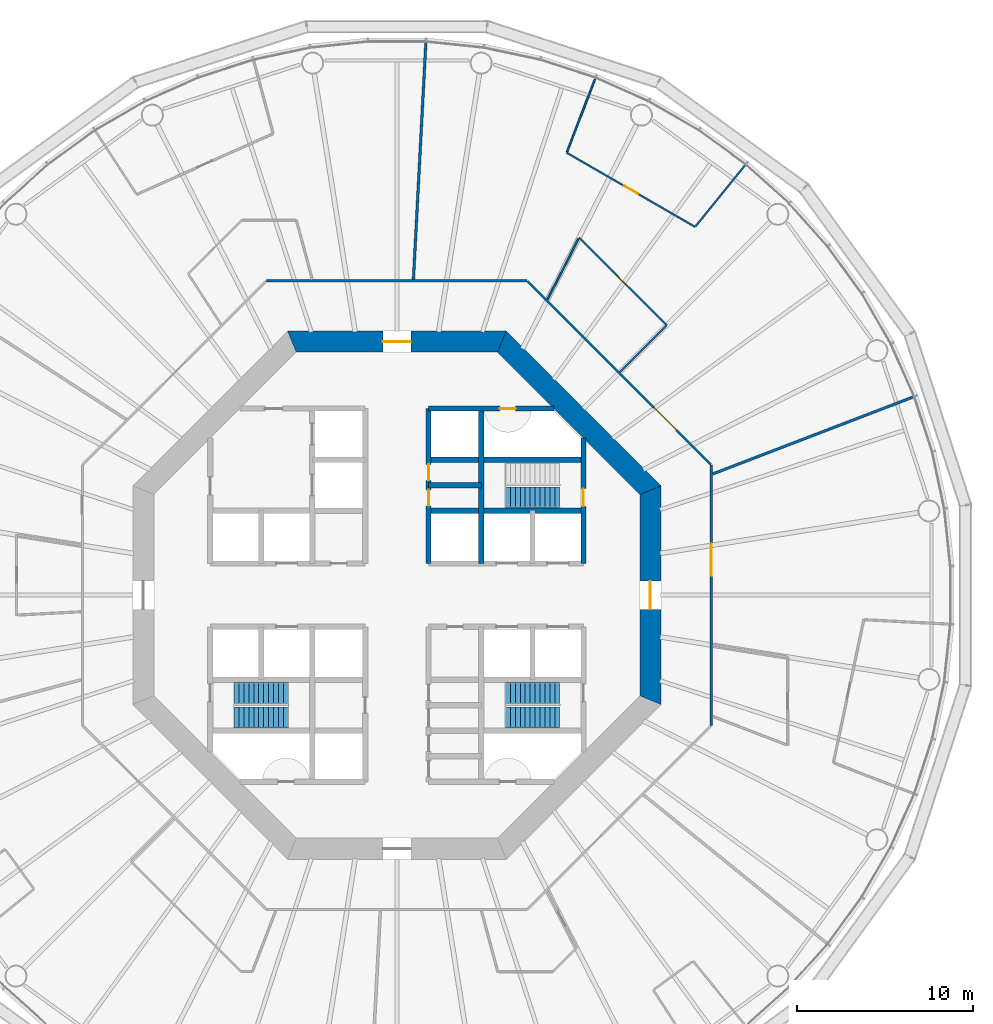
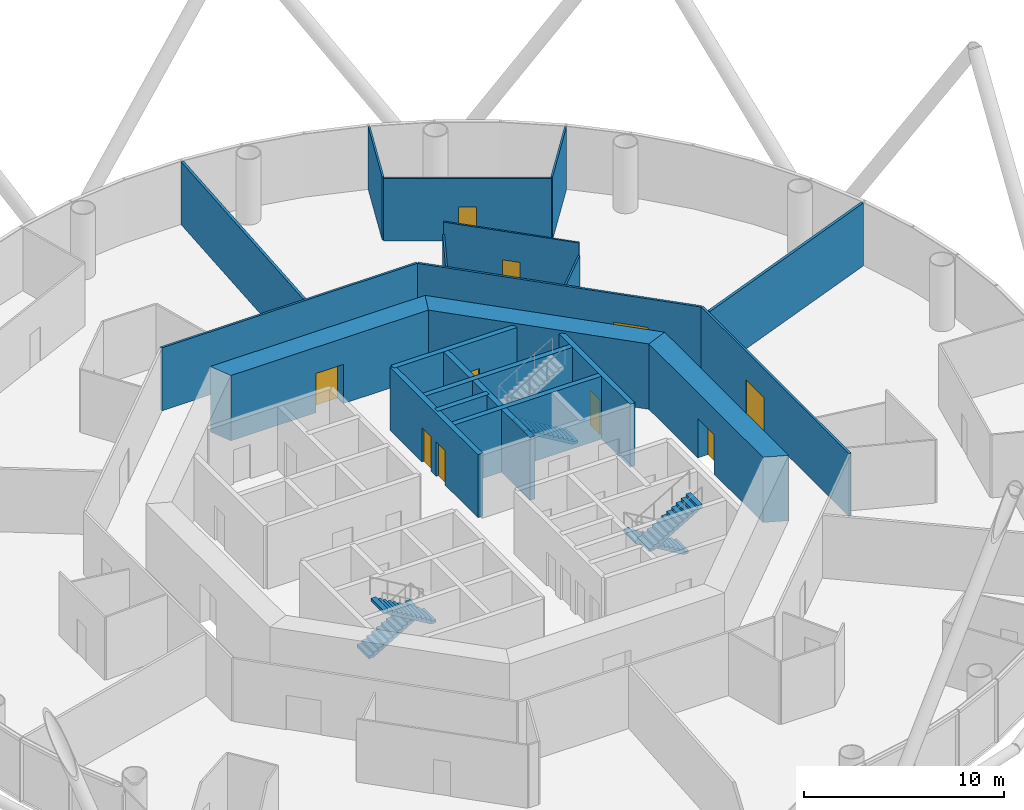
# One storey, part 6 of 14: 21 walls, 10 doors, 5 stair flights, 10 openings, 3 elements without a shape of their own.
"""IFC4 building model written with IfcOpenShell, lengths in metres."""

from ifc_helpers import new_model, si_unit, direction, frame, frame_2d, origin, place, context, subcontext, project, spatial, polyline, rectangle, outline, extrude, material, layer, layer_set, type_object, element, fill, aggregate, save


model = new_model("IFC4")

# Units and contexts
model_context = context("Model", 3, precision=1e-05, world=origin(), true_north=direction((0.0, 1.0)))
body_context = subcontext(model_context, "Body", "Model", "MODEL_VIEW")
ifc_project = project(units=[si_unit("LENGTHUNIT", "METRE"), si_unit("AREAUNIT", "SQUARE_METRE"), si_unit("VOLUMEUNIT", "CUBIC_METRE"), si_unit("PLANEANGLEUNIT", "RADIAN"), si_unit("MASSUNIT", "GRAM", prefix="KILO")], contexts=[model_context])

# Site, building, storey
site_placement = place(None, origin())
site = spatial("IfcSite", under=ifc_project, at=site_placement, CompositionType="ELEMENT")
building_placement = place(site_placement, origin())
building = spatial("IfcBuilding", under=site, at=building_placement, Name="Entoto Ring Tower", CompositionType="ELEMENT")
storey_placement = place(building_placement, frame((0.0, 0.0, 80.0)))
storey = spatial("IfcBuildingStorey", under=building, at=storey_placement, Name="L17", CompositionType="ELEMENT", Elevation=80.0)

# Wall, opening, door
ifc_material_1 = material(Name="Concrete C40/50", Category="concrete")
ifc_layer_1 = layer(ifc_material_1, 0.300048828125)
ifc_layer_set_1 = layer_set([ifc_layer_1], Name="Concrete C40/50")
wall_type_1 = type_object("IfcWallType", Name="Core enclosure wall 300 mm reinforced concrete", PredefinedType="SOLIDWALL", material=ifc_layer_set_1)
wall_1_placement = place(storey_placement, frame((100.60009765625, 81.800048828125, 0.0), z_axis=(0.0, 0.0, 1.0), x_axis=(0.0, 1.0, 0.0)))
wall_1 = element("IfcWall", 1, at=wall_1_placement, inside=storey, type_object=wall_type_1, Name="wall-L17-002", PredefinedType="SOLIDWALL", context=body_context, shape_type="SweptSolid", body=[
    extrude(rectangle(XDim=7.115966796875, YDim=0.300048828125, at=frame_2d((3.55810546875, 0.0))), origin(), (0.0, 0.0, 1.0), 3.85009765625),
])
opening_1_placement = place(wall_1_placement, frame((3.25, 0.0, 0.0)))
opening_1 = element("IfcOpeningElement", 2, at=opening_1_placement, cuts=wall_1, Name="Opening K-65", PredefinedType="OPENING", context=body_context, shape_type="SweptSolid", body=[
    extrude(rectangle(XDim=1.0, YDim=2.10009765625, at=frame_2d((0.5, 1.050048828125))), frame((0.0, 0.16015625, 0.0), z_axis=(0.0, -1.0, 0.0), x_axis=(1.0, 0.0, 0.0)), (0.0, 0.0, 1.0), 0.320068359375),
])
ifc_material_2 = material(Name="Steel door leaf, fire rated", Category="steel")
ifc_layer_2 = layer(ifc_material_2, 0.050048828125)
ifc_layer_set_2 = layer_set([ifc_layer_2], Name="Steel door leaf, fire rated")
door_type_1 = type_object("IfcDoorType", Name="Fire door FD60 1000 x 2100 single leaf", OperationType="NOTDEFINED", PredefinedType="DOOR", material=ifc_layer_set_2)
door_1_placement = place(opening_1_placement, origin())
door_1 = element("IfcDoor", 3, at=door_1_placement, inside=storey, type_object=door_type_1, Name="Door K-65", OperationType="SINGLE_SWING_RIGHT", OverallHeight=2.10009765625, OverallWidth=1.0, PredefinedType="DOOR", context=body_context, shape_type="SweptSolid", body=[
    extrude(rectangle(XDim=1.0, YDim=2.10009765625, at=frame_2d((0.5, 1.050048828125))), frame((0.0, 0.02490234375, 0.0), z_axis=(0.0, -1.0, 0.0), x_axis=(1.0, 0.0, 0.0)), (0.0, 0.0, 1.0), 0.050048828125),
])
fill(opening_1, door_1)

# Wall
wall_2_placement = place(storey_placement, frame((94.800048828125, 81.800048828125, 0.0), z_axis=(0.0, 0.0, 1.0), x_axis=(0.0, 1.0, 0.0)))
element("IfcWall", 4, at=wall_2_placement, inside=storey, type_object=wall_type_1, Name="wall-L17-006", PredefinedType="SOLIDWALL", context=body_context, shape_type="SweptSolid", body=[
    extrude(rectangle(XDim=8.800048828125, YDim=0.300048828125, at=frame_2d((4.39990234375, 0.0))), origin(), (0.0, 0.0, 1.0), 3.85009765625),
])

# Wall, openings, doors
wall_3_placement = place(storey_placement, frame((91.800048828125, 81.800048828125, 0.0), z_axis=(0.0, 0.0, 1.0), x_axis=(0.0, 1.0, 0.0)))
wall_3 = element("IfcWall", 5, at=wall_3_placement, inside=storey, type_object=wall_type_1, Name="wall-L17-008", PredefinedType="SOLIDWALL", context=body_context, shape_type="SweptSolid", body=[
    extrude(rectangle(XDim=8.800048828125, YDim=0.300048828125, at=frame_2d((4.39990234375, 0.0))), origin(), (0.0, 0.0, 1.0), 3.85009765625),
])
opening_2_placement = place(wall_3_placement, frame((3.27490234375, 0.0, 0.0)))
opening_2 = element("IfcOpeningElement", 6, at=opening_2_placement, cuts=wall_3, Name="Opening K-11", PredefinedType="OPENING", context=body_context, shape_type="SweptSolid", body=[
    extrude(rectangle(XDim=0.89990234375, YDim=2.10009765625, at=frame_2d((0.449951171875, 1.050048828125))), frame((0.0, 0.16015625, 0.0), z_axis=(0.0, -1.0, 0.0), x_axis=(1.0, 0.0, 0.0)), (0.0, 0.0, 1.0), 0.320068359375),
])
opening_3_placement = place(wall_3_placement, frame((4.72509765625, 0.0, 0.0)))
opening_3 = element("IfcOpeningElement", 7, at=opening_3_placement, cuts=wall_3, Name="Opening K-12", PredefinedType="OPENING", context=body_context, shape_type="SweptSolid", body=[
    extrude(rectangle(XDim=0.89990234375, YDim=2.10009765625, at=frame_2d((0.449951171875, 1.050048828125))), frame((0.0, 0.16015625, 0.0), z_axis=(0.0, -1.0, 0.0), x_axis=(1.0, 0.0, 0.0)), (0.0, 0.0, 1.0), 0.320068359375),
])
ifc_material_3 = material(Name="Steel door leaf, fire rated", Category="steel")
ifc_layer_3 = layer(ifc_material_3, 0.050048828125)
ifc_layer_set_3 = layer_set([ifc_layer_3], Name="Steel door leaf, fire rated")
door_type_2 = type_object("IfcDoorType", Name="Core door 900 x 2100 single leaf", OperationType="NOTDEFINED", PredefinedType="DOOR", material=ifc_layer_set_3)
door_2_placement = place(opening_2_placement, origin())
door_2 = element("IfcDoor", 8, at=door_2_placement, inside=storey, type_object=door_type_2, Name="Door K-11", OperationType="SINGLE_SWING_RIGHT", OverallHeight=2.10009765625, OverallWidth=0.89990234375, PredefinedType="DOOR", context=body_context, shape_type="SweptSolid", body=[
    extrude(rectangle(XDim=0.89990234375, YDim=2.10009765625, at=frame_2d((0.449951171875, 1.050048828125))), frame((0.0, 0.02490234375, 0.0), z_axis=(0.0, -1.0, 0.0), x_axis=(1.0, 0.0, 0.0)), (0.0, 0.0, 1.0), 0.050048828125),
])
fill(opening_2, door_2)
door_3_placement = place(opening_3_placement, origin())
door_3 = element("IfcDoor", 9, at=door_3_placement, inside=storey, type_object=door_type_2, Name="Door K-12", OperationType="SINGLE_SWING_RIGHT", OverallHeight=2.10009765625, OverallWidth=0.89990234375, PredefinedType="DOOR", context=body_context, shape_type="SweptSolid", body=[
    extrude(rectangle(XDim=0.89990234375, YDim=2.10009765625, at=frame_2d((0.449951171875, 1.050048828125))), frame((0.0, 0.02490234375, 0.0), z_axis=(0.0, -1.0, 0.0), x_axis=(1.0, 0.0, 0.0)), (0.0, 0.0, 1.0), 0.050048828125),
])
fill(opening_3, door_3)

# Walls
wall_4_placement = place(storey_placement, frame((91.800048828125, 84.800048828125, 0.0), z_axis=(0.0, 0.0, 1.0), x_axis=(1.0, 0.0, 0.0)))
element("IfcWall", 10, at=wall_4_placement, inside=storey, type_object=wall_type_1, Name="wall-L17-030", PredefinedType="SOLIDWALL", context=body_context, shape_type="SweptSolid", body=[
    extrude(rectangle(XDim=8.800048828125, YDim=0.300048828125, at=frame_2d((4.39990234375, 0.0))), origin(), (0.0, 0.0, 1.0), 3.85009765625),
])
wall_5_placement = place(storey_placement, frame((91.800048828125, 86.25, 0.0), z_axis=(0.0, 0.0, 1.0), x_axis=(1.0, 0.0, 0.0)))
element("IfcWall", 11, at=wall_5_placement, inside=storey, type_object=wall_type_1, Name="wall-L17-031", PredefinedType="SOLIDWALL", context=body_context, shape_type="SweptSolid", body=[
    extrude(rectangle(XDim=3.0, YDim=0.300048828125, at=frame_2d((1.5, 0.0))), origin(), (0.0, 0.0, 1.0), 3.85009765625),
])
wall_6_placement = place(storey_placement, frame((91.800048828125, 87.699951171875, 0.0), z_axis=(0.0, 0.0, 1.0), x_axis=(1.0, 0.0, 0.0)))
element("IfcWall", 12, at=wall_6_placement, inside=storey, type_object=wall_type_1, Name="wall-L17-033", PredefinedType="SOLIDWALL", context=body_context, shape_type="SweptSolid", body=[
    extrude(rectangle(XDim=8.800048828125, YDim=0.300048828125, at=frame_2d((4.39990234375, 0.0))), origin(), (0.0, 0.0, 1.0), 3.85009765625),
])

# Wall, opening, door
wall_7_placement = place(storey_placement, frame((91.800048828125, 90.60009765625, 0.0), z_axis=(0.0, 0.0, 1.0), x_axis=(1.0, 0.0, 0.0)))
wall_7 = element("IfcWall", 13, at=wall_7_placement, inside=storey, type_object=wall_type_1, Name="wall-L17-035", PredefinedType="SOLIDWALL", context=body_context, shape_type="SweptSolid", body=[
    extrude(rectangle(XDim=7.115966796875, YDim=0.300048828125, at=frame_2d((3.55810546875, 0.0))), origin(), (0.0, 0.0, 1.0), 3.85009765625),
])
opening_4_placement = place(wall_7_placement, frame((4.050048828125, 0.0, 0.0)))
opening_4 = element("IfcOpeningElement", 14, at=opening_4_placement, cuts=wall_7, Name="Opening K-72", PredefinedType="OPENING", context=body_context, shape_type="SweptSolid", body=[
    extrude(rectangle(XDim=0.89990234375, YDim=2.10009765625, at=frame_2d((0.449951171875, 1.050048828125))), frame((0.0, 0.16015625, 0.0), z_axis=(0.0, -1.0, 0.0), x_axis=(1.0, 0.0, 0.0)), (0.0, 0.0, 1.0), 0.320068359375),
])
ifc_material_4 = material(Name="Steel door leaf, fire rated", Category="steel")
ifc_layer_4 = layer(ifc_material_4, 0.050048828125)
ifc_layer_set_4 = layer_set([ifc_layer_4], Name="Steel door leaf, fire rated")
door_type_3 = type_object("IfcDoorType", Name="Riser door FD60 900 x 2100 single leaf", OperationType="NOTDEFINED", PredefinedType="DOOR", material=ifc_layer_set_4)
door_4_placement = place(opening_4_placement, frame((0.89990234375, 0.0, 0.0), z_axis=(0.0, 0.0, 1.0), x_axis=(-1.0, 0.0, 0.0)))
door_4 = element("IfcDoor", 15, at=door_4_placement, inside=storey, type_object=door_type_3, Name="Door K-72", OperationType="SINGLE_SWING_LEFT", OverallHeight=2.10009765625, OverallWidth=0.89990234375, PredefinedType="DOOR", context=body_context, shape_type="SweptSolid", body=[
    extrude(rectangle(XDim=0.89990234375, YDim=2.10009765625, at=frame_2d((0.449951171875, 1.050048828125))), frame((0.0, 0.02490234375, 0.0), z_axis=(0.0, -1.0, 0.0), x_axis=(1.0, 0.0, 0.0)), (0.0, 0.0, 1.0), 0.050048828125),
])
fill(opening_4, door_4)

ifc_material_5 = material(Name="Concrete C60/75", Category="concrete")
ifc_layer_5 = layer(ifc_material_5, 1.199951171875)
ifc_layer_set_5 = layer_set([ifc_layer_5], Name="Concrete C60/75")
wall_type_2 = type_object("IfcWallType", Name="Core shear wall 1200 mm reinforced concrete C60/75", PredefinedType="SHEAR", material=ifc_layer_set_5)
wall_8_placement = place(storey_placement, frame((104.39990234375, 74.035400390625, 0.0), z_axis=(0.0, 0.0, 1.0), x_axis=(0.0, 1.0, 0.0)))
wall_8 = element("IfcWall", 16, at=wall_8_placement, inside=storey, type_object=wall_type_2, Name="wall-L17-core-0", PredefinedType="SHEAR", context=body_context, shape_type="SweptSolid", body=[
    extrude(outline(polyline([(-0.24853515625, -0.60009765625), (12.177734375, -0.60009765625), (11.6806640625, 0.60009765625), (0.24853515625, 0.60009765625), (-0.24853515625, -0.60009765625)])), origin(), (0.0, 0.0, 1.0), 4.0),
])
opening_5_placement = place(wall_8_placement, frame((5.164794921875, 0.0, 0.0)))
opening_5 = element("IfcOpeningElement", 17, at=opening_5_placement, cuts=wall_8, Name="Opening K-01", PredefinedType="OPENING", context=body_context, shape_type="SweptSolid", body=[
    extrude(rectangle(XDim=1.60009765625, YDim=2.39990234375, at=frame_2d((0.800048828125, 1.199951171875))), frame((0.0, 0.60986328125, 0.0), z_axis=(0.0, -1.0, 0.0), x_axis=(1.0, 0.0, 0.0)), (0.0, 0.0, 1.0), 1.219970703125),
])
ifc_material_6 = material(Name="Steel door leaf, fire rated", Category="steel")
ifc_layer_6 = layer(ifc_material_6, 0.050048828125)
ifc_layer_set_6 = layer_set([ifc_layer_6], Name="Steel door leaf, fire rated")
door_type_4 = type_object("IfcDoorType", Name="Entrance door FD60 1600 x 2400 double leaf", OperationType="DOUBLE_DOOR_SINGLE_SWING", PredefinedType="DOOR", material=ifc_layer_set_6)
door_5_placement = place(opening_5_placement, origin())
door_5 = element("IfcDoor", 18, at=door_5_placement, inside=storey, type_object=door_type_4, Name="Entrance door K-01", OperationType="DOUBLE_DOOR_SINGLE_SWING", OverallHeight=2.39990234375, OverallWidth=1.60009765625, PredefinedType="DOOR", context=body_context, shape_type="SweptSolid", body=[
    extrude(rectangle(XDim=1.60009765625, YDim=2.39990234375, at=frame_2d((0.800048828125, 1.199951171875))), frame((0.0, 0.02490234375, 0.0), z_axis=(0.0, -1.0, 0.0), x_axis=(1.0, 0.0, 0.0)), (0.0, 0.0, 1.0), 0.050048828125),
])
fill(opening_5, door_5)

# Wall
wall_9_placement = place(storey_placement, frame((104.39990234375, 85.964599609375, 0.0), z_axis=(0.0, 0.0, 1.0), x_axis=(-0.707106781187, 0.707106781187, 0.0)))
element("IfcWall", 19, at=wall_9_placement, inside=storey, type_object=wall_type_2, Name="wall-L17-core-1", PredefinedType="SHEAR", context=body_context, shape_type="SweptSolid", body=[
    extrude(outline(polyline([(-0.24853515625, -0.60009765625), (12.177734375, -0.60009765625), (11.6806640625, 0.60009765625), (0.24853515625, 0.60009765625), (-0.24853515625, -0.60009765625)])), origin(), (0.0, 0.0, 1.0), 4.0),
])

# Wall, opening, door
wall_10_placement = place(storey_placement, frame((95.964599609375, 94.39990234375, 0.0), z_axis=(0.0, 0.0, 1.0), x_axis=(-1.0, 0.0, 0.0)))
wall_10 = element("IfcWall", 20, at=wall_10_placement, inside=storey, type_object=wall_type_2, Name="wall-L17-core-2", PredefinedType="SHEAR", context=body_context, shape_type="SweptSolid", body=[
    extrude(outline(polyline([(-0.24853515625, -0.60009765625), (12.177734375, -0.60009765625), (11.6806640625, 0.60009765625), (0.24853515625, 0.60009765625), (-0.24853515625, -0.60009765625)])), origin(), (0.0, 0.0, 1.0), 4.0),
])
opening_6_placement = place(wall_10_placement, frame((5.164794921875, 0.0, 0.0)))
opening_6 = element("IfcOpeningElement", 21, at=opening_6_placement, cuts=wall_10, Name="Opening K-02", PredefinedType="OPENING", context=body_context, shape_type="SweptSolid", body=[
    extrude(rectangle(XDim=1.60009765625, YDim=2.39990234375, at=frame_2d((0.800048828125, 1.199951171875))), frame((0.0, 0.60986328125, 0.0), z_axis=(0.0, -1.0, 0.0), x_axis=(1.0, 0.0, 0.0)), (0.0, 0.0, 1.0), 1.219970703125),
])
door_6_placement = place(opening_6_placement, origin())
door_6 = element("IfcDoor", 22, at=door_6_placement, inside=storey, type_object=door_type_4, Name="Entrance door K-02", OperationType="DOUBLE_DOOR_SINGLE_SWING", OverallHeight=2.39990234375, OverallWidth=1.60009765625, PredefinedType="DOOR", context=body_context, shape_type="SweptSolid", body=[
    extrude(rectangle(XDim=1.60009765625, YDim=2.39990234375, at=frame_2d((0.800048828125, 1.199951171875))), frame((0.0, 0.02490234375, 0.0), z_axis=(0.0, -1.0, 0.0), x_axis=(1.0, 0.0, 0.0)), (0.0, 0.0, 1.0), 0.050048828125),
])
fill(opening_6, door_6)

# Wall
ifc_material_7 = material(Name="Fire-resisting plasterboard on steel studs", Category="steel")
ifc_layer_7 = layer(ifc_material_7, 0.125)
ifc_layer_set_7 = layer_set([ifc_layer_7], Name="Fire-resisting plasterboard on steel studs")
wall_type_3 = type_object("IfcWallType", Name="Corridor wall 125 mm one-hour plasterboard on steel studs", PredefinedType="PARTITIONING", material=ifc_layer_set_7)
wall_11_placement = place(storey_placement, frame((82.60107421875, 97.862548828125, 0.0), z_axis=(0.0, 0.0, 1.0), x_axis=(1.0, 0.0, 0.0)))
element("IfcWall", 23, at=wall_11_placement, inside=storey, type_object=wall_type_3, Name="partition-L17-003", PredefinedType="PARTITIONING", context=body_context, shape_type="SweptSolid", body=[
    extrude(rectangle(XDim=14.7978515625, YDim=0.125, at=frame_2d((7.39892578125, 0.0))), origin(), (0.0, 0.0, 1.0), 3.85009765625),
])

# Wall, opening, door
wall_12_placement = place(storey_placement, frame((107.862548828125, 72.60107421875, 0.0), z_axis=(0.0, 0.0, 1.0), x_axis=(0.0, 1.0, 0.0)))
wall_12 = element("IfcWall", 24, at=wall_12_placement, inside=storey, type_object=wall_type_3, Name="partition-L17-004", PredefinedType="PARTITIONING", context=body_context, shape_type="SweptSolid", body=[
    extrude(rectangle(XDim=14.7978515625, YDim=0.125, at=frame_2d((7.39892578125, 0.0))), origin(), (0.0, 0.0, 1.0), 3.85009765625),
])
opening_7_placement = place(wall_12_placement, frame((8.5126953125, 0.0, 0.0)))
opening_7 = element("IfcOpeningElement", 25, at=opening_7_placement, cuts=wall_12, Name="Opening A08-D01", PredefinedType="OPENING", context=body_context, shape_type="SweptSolid", body=[
    extrude(rectangle(XDim=1.800048828125, YDim=2.10009765625, at=frame_2d((0.89990234375, 1.050048828125))), frame((0.0, 0.072509765625, 0.0), z_axis=(0.0, -1.0, 0.0), x_axis=(1.0, 0.0, 0.0)), (0.0, 0.0, 1.0), 0.14501953125),
])
ifc_material_8 = material(Name="Fire-resisting timber door set", Category="wood")
door_type_5 = type_object("IfcDoorType", Name="Door 1800 x 2100 double leaf FD30S fire door", OperationType="DOUBLE_DOOR_SINGLE_SWING", PredefinedType="DOOR", material=ifc_material_8)
door_7_placement = place(opening_7_placement, frame((1.800048828125, 0.0, 0.0), z_axis=(0.0, 0.0, 1.0), x_axis=(-1.0, 0.0, 0.0)))
door_7 = element("IfcDoor", 26, at=door_7_placement, inside=storey, type_object=door_type_5, Name="Door A08-D01", OperationType="DOUBLE_DOOR_SINGLE_SWING", OverallHeight=2.10009765625, OverallWidth=1.800048828125, PredefinedType="DOOR", context=body_context, shape_type="SweptSolid", body=[
    extrude(rectangle(XDim=1.800048828125, YDim=2.10009765625, at=frame_2d((0.89990234375, 1.050048828125))), frame((0.0, 0.02490234375, 0.0), z_axis=(0.0, -1.0, 0.0), x_axis=(1.0, 0.0, 0.0)), (0.0, 0.0, 1.0), 0.050048828125),
])
fill(opening_7, door_7)

wall_13_placement = place(storey_placement, frame((107.831298828125, 87.429931640625, 0.0), z_axis=(0.0, 0.0, 1.0), x_axis=(-0.707106781187, 0.707106781187, 0.0)))
wall_13 = element("IfcWall", 27, at=wall_13_placement, inside=storey, type_object=wall_type_3, Name="partition-L17-008", PredefinedType="PARTITIONING", context=body_context, shape_type="SweptSolid", body=[
    extrude(rectangle(XDim=14.709716796875, YDim=0.125, at=frame_2d((7.35498046875, 0.0))), origin(), (0.0, 0.0, 1.0), 3.85009765625),
])
opening_8_placement = place(wall_13_placement, frame((2.755615234375, 0.0, 0.0)))
opening_8 = element("IfcOpeningElement", 28, at=opening_8_placement, cuts=wall_13, Name="Opening A08-D04", PredefinedType="OPENING", context=body_context, shape_type="SweptSolid", body=[
    extrude(rectangle(XDim=1.800048828125, YDim=2.10009765625, at=frame_2d((0.89990234375, 1.050048828125))), frame((0.0, 0.072509765625, 0.0), z_axis=(0.0, -1.0, 0.0), x_axis=(1.0, 0.0, 0.0)), (0.0, 0.0, 1.0), 0.14501953125),
])
door_8_placement = place(opening_8_placement, frame((1.800048828125, 0.0, 0.0), z_axis=(0.0, 0.0, 1.0), x_axis=(-1.0, 0.0, 0.0)))
door_8 = element("IfcDoor", 29, at=door_8_placement, inside=storey, type_object=door_type_5, Name="Door A08-D04", OperationType="DOUBLE_DOOR_SINGLE_SWING", OverallHeight=2.10009765625, OverallWidth=1.800048828125, PredefinedType="DOOR", context=body_context, shape_type="SweptSolid", body=[
    extrude(rectangle(XDim=1.800048828125, YDim=2.10009765625, at=frame_2d((0.89990234375, 1.050048828125))), frame((0.0, 0.02490234375, 0.0), z_axis=(0.0, -1.0, 0.0), x_axis=(1.0, 0.0, 0.0)), (0.0, 0.0, 1.0), 0.050048828125),
])
fill(opening_8, door_8)

ifc_material_9 = material(Name="Plasterboard on steel studs", Category="steel")
ifc_layer_8 = layer(ifc_material_9, 0.10009765625)
ifc_layer_set_8 = layer_set([ifc_layer_8], Name="Plasterboard on steel studs")
wall_type_4 = type_object("IfcWallType", Name="Partition 100 mm plasterboard on steel studs", PredefinedType="PARTITIONING", material=ifc_layer_set_8)
wall_14_placement = place(storey_placement, frame((106.94140625, 100.9208984375, 0.0), z_axis=(0.0, 0.0, 1.0), x_axis=(-0.866031604091, 0.499989260601, 0.0)))
wall_14 = element("IfcWall", 30, at=wall_14_placement, inside=storey, type_object=wall_type_4, Name="partition-L17-017", PredefinedType="PARTITIONING", context=body_context, shape_type="SweptSolid", body=[
    extrude(rectangle(XDim=8.422607421875, YDim=0.10009765625, at=frame_2d((4.21142578125, 0.0))), origin(), (0.0, 0.0, 1.0), 3.85009765625),
])
opening_9_placement = place(wall_14_placement, frame((3.76123046875, 0.0, 0.0)))
opening_9 = element("IfcOpeningElement", 31, at=opening_9_placement, cuts=wall_14, Name="Opening A08-D06", PredefinedType="OPENING", context=body_context, shape_type="SweptSolid", body=[
    extrude(rectangle(XDim=0.89990234375, YDim=2.10009765625, at=frame_2d((0.449951171875, 1.050048828125))), frame((0.0, 0.06005859375, 0.0), z_axis=(0.0, -1.0, 0.0), x_axis=(1.0, 0.0, 0.0)), (0.0, 0.0, 1.0), 0.1201171875),
])
ifc_material_10 = material(Name="Veneered timber door leaf in timber frame", Category="wood")
door_type_6 = type_object("IfcDoorType", Name="Door 900 x 2100 single leaf timber veneer", OperationType="NOTDEFINED", PredefinedType="DOOR", material=ifc_material_10)
door_9_placement = place(opening_9_placement, frame((0.89990234375, 0.0, 0.0), z_axis=(0.0, 0.0, 1.0), x_axis=(-1.0, 0.0, 0.0)))
door_9 = element("IfcDoor", 32, at=door_9_placement, inside=storey, type_object=door_type_6, Name="Door A08-D06", OperationType="SINGLE_SWING_RIGHT", OverallHeight=2.10009765625, OverallWidth=0.89990234375, PredefinedType="DOOR", context=body_context, shape_type="SweptSolid", body=[
    extrude(rectangle(XDim=0.89990234375, YDim=2.10009765625, at=frame_2d((0.449951171875, 1.050048828125))), frame((0.0, 0.02490234375, 0.0), z_axis=(0.0, -1.0, 0.0), x_axis=(1.0, 0.0, 0.0)), (0.0, 0.0, 1.0), 0.050048828125),
])
fill(opening_9, door_9)

wall_15_placement = place(storey_placement, frame((105.32470703125, 95.32470703125, 0.0), z_axis=(0.0, 0.0, 1.0), x_axis=(-0.707089446102, 0.707124115846, 0.0)))
wall_15 = element("IfcWall", 33, at=wall_15_placement, inside=storey, type_object=wall_type_4, Name="partition-L17-019", PredefinedType="PARTITIONING", context=body_context, shape_type="SweptSolid", body=[
    extrude(rectangle(XDim=7.0419921875, YDim=0.10009765625, at=frame_2d((3.52099609375, 0.0))), origin(), (0.0, 0.0, 1.0), 3.85009765625),
])
opening_10_placement = place(wall_15_placement, frame((3.07080078125, 0.0, 0.0)))
opening_10 = element("IfcOpeningElement", 34, at=opening_10_placement, cuts=wall_15, Name="Opening A08-D05", PredefinedType="OPENING", context=body_context, shape_type="SweptSolid", body=[
    extrude(rectangle(XDim=0.89990234375, YDim=2.10009765625, at=frame_2d((0.449951171875, 1.050048828125))), frame((0.0, 0.06005859375, 0.0), z_axis=(0.0, -1.0, 0.0), x_axis=(1.0, 0.0, 0.0)), (0.0, 0.0, 1.0), 0.1201171875),
])
door_10_placement = place(opening_10_placement, origin())
door_10 = element("IfcDoor", 35, at=door_10_placement, inside=storey, type_object=door_type_6, Name="Door A08-D05", OperationType="SINGLE_SWING_RIGHT", OverallHeight=2.10009765625, OverallWidth=0.89990234375, PredefinedType="DOOR", context=body_context, shape_type="SweptSolid", body=[
    extrude(rectangle(XDim=0.89990234375, YDim=2.10009765625, at=frame_2d((0.449951171875, 1.050048828125))), frame((0.0, 0.02490234375, 0.0), z_axis=(0.0, -1.0, 0.0), x_axis=(1.0, 0.0, 0.0)), (0.0, 0.0, 1.0), 0.050048828125),
])
fill(opening_10, door_10)

# Walls
wall_16_placement = place(storey_placement, frame((99.664794921875, 105.177978515625, 0.0), z_axis=(0.0, 0.0, 1.0), x_axis=(0.35838986467, 0.933572013774, 0.0)))
element("IfcWall", 36, at=wall_16_placement, inside=storey, type_object=wall_type_4, Name="partition-L17-030", PredefinedType="PARTITIONING", context=body_context, shape_type="SweptSolid", body=[
    extrude(rectangle(XDim=4.470703125, YDim=0.10009765625, at=frame_2d((2.2353515625, 0.0))), origin(), (0.0, 0.0, 1.0), 3.85009765625),
])
wall_17_placement = place(storey_placement, frame((106.972412109375, 100.958984375, 0.0), z_axis=(0.0, 0.0, 1.0), x_axis=(0.629292477431, 0.77716856463, 0.0)))
element("IfcWall", 37, at=wall_17_placement, inside=storey, type_object=wall_type_4, Name="partition-L17-031", PredefinedType="PARTITIONING", context=body_context, shape_type="SweptSolid", body=[
    extrude(rectangle(XDim=4.470947265625, YDim=0.10009765625, at=frame_2d((2.2353515625, 0.0))), origin(), (0.0, 0.0, 1.0), 3.85009765625),
])
ifc_material_11 = material(Name="Plasterboard on steel studs", Category="steel")
ifc_layer_9 = layer(ifc_material_11, 0.10009765625)
ifc_layer_set_9 = layer_set([ifc_layer_9], Name="Plasterboard on steel studs")
wall_type_5 = type_object("IfcWallType", Name="Partition 100 mm plasterboard on steel studs, 3097 mm high", PredefinedType="PARTITIONING", material=ifc_layer_set_9)
wall_18_placement = place(storey_placement, frame((98.56396484375, 96.8076171875, 0.0), z_axis=(0.0, 0.0, 1.0), x_axis=(0.453963724788, 0.891020166201, 0.0)))
element("IfcWall", 38, at=wall_18_placement, inside=storey, type_object=wall_type_5, Name="partition-L17-038", PredefinedType="PARTITIONING", context=body_context, shape_type="SweptSolid", body=[
    extrude(rectangle(XDim=3.85546875, YDim=0.10009765625, at=frame_2d((1.927734375, 0.0))), origin(), (0.0, 0.0, 1.0), 3.096923828125),
])
wall_19_placement = place(storey_placement, frame((102.675048828125, 92.675048828125, 0.0), z_axis=(0.0, 0.0, 1.0), x_axis=(0.707106781187, 0.707106781187, 0.0)))
element("IfcWall", 39, at=wall_19_placement, inside=storey, type_object=wall_type_5, Name="partition-L17-039", PredefinedType="PARTITIONING", context=body_context, shape_type="SweptSolid", body=[
    extrude(rectangle(XDim=3.697021484375, YDim=0.10009765625, at=frame_2d((1.8486328125, 0.0))), origin(), (0.0, 0.0, 1.0), 3.096923828125),
])
ifc_material_12 = material(Name="Fire-resisting acoustic plasterboard on steel studs", Category="steel")
ifc_layer_10 = layer(ifc_material_12, 0.14990234375)
ifc_layer_set_10 = layer_set([ifc_layer_10], Name="Fire-resisting acoustic plasterboard on steel studs")
wall_type_6 = type_object("IfcWallType", Name="Party wall 150 mm one-hour acoustic plasterboard on steel studs", PredefinedType="PARTITIONING", material=ifc_layer_set_10)
wall_20_placement = place(storey_placement, frame((90.939697265625, 97.928955078125, 0.0), z_axis=(0.0, 0.0, 1.0), x_axis=(0.052334599665, 0.998629605849, 0.0)))
element("IfcWall", 40, at=wall_20_placement, inside=storey, type_object=wall_type_6, Name="partition-L17-010", PredefinedType="PARTITIONING", context=body_context, shape_type="SweptSolid", body=[
    extrude(rectangle(XDim=13.486572265625, YDim=0.14990234375, at=frame_2d((6.7431640625, 0.0))), origin(), (0.0, 0.0, 1.0), 3.85009765625),
])
wall_21_placement = place(storey_placement, frame((107.95166015625, 86.89111328125, 0.0), z_axis=(0.0, 0.0, 1.0), x_axis=(0.933583979108, 0.35835869454, 0.0)))
element("IfcWall", 41, at=wall_21_placement, inside=storey, type_object=wall_type_6, Name="partition-L17-014", PredefinedType="PARTITIONING", context=body_context, shape_type="SweptSolid", body=[
    extrude(rectangle(XDim=12.211181640625, YDim=0.14990234375, at=frame_2d((6.10546875, 0.0))), origin(), (0.0, 0.0, 1.0), 3.85009765625),
])

# Stair, stair flight
ifc_material_13 = material(Name="Concrete C40/50", Category="concrete")
stair_type = type_object("IfcStairType", Name="Exit stair 1200 mm dog-leg reinforced concrete", PredefinedType="HALF_TURN_STAIR", material=ifc_material_13)
stair_1_placement = place(storey_placement, origin())
stair_1 = element("IfcStair", 42, at=stair_1_placement, inside=storey, type_object=stair_type, Name="Exit stair 1", PredefinedType="HALF_TURN_STAIR")
ifc_material_14 = material(Name="Concrete C40/50", Category="concrete")
stair_flight_type = type_object("IfcStairFlightType", Name="Stair flight 1200 mm reinforced concrete", PredefinedType="STRAIGHT", material=ifc_material_14)
stair_flight_1_placement = place(storey_placement, frame((99.25, 85.550048828125, 0.0), z_axis=(0.0, 0.0, 1.0), x_axis=(-1.0, 0.0, 0.0)))
stair_flight_1 = element("IfcStairFlight", 43, at=stair_flight_1_placement, type_object=stair_flight_type, Name="ST1 flight 1", NumberOfRisers=12, NumberOfTreads=11, PredefinedType="STRAIGHT", RiserHeight=0.166666667, TreadLength=0.28, context=body_context, shape_type="SweptSolid", body=[
    extrude(outline(polyline([(0.0, 0.0), (0.0, 0.166748046875), (0.280029296875, 0.166748046875), (0.280029296875, 0.333251953125), (0.56005859375, 0.333251953125), (0.56005859375, 0.5), (0.840087890625, 0.5), (0.840087890625, 0.666748046875), (1.1201171875, 0.666748046875), (1.1201171875, 0.833251953125), (1.39990234375, 0.833251953125), (1.39990234375, 1.0), (1.679931640625, 1.0), (1.679931640625, 1.166748046875), (1.9599609375, 1.166748046875), (1.9599609375, 1.333251953125), (2.239990234375, 1.333251953125), (2.239990234375, 1.5), (2.52001953125, 1.5), (2.52001953125, 1.666748046875), (2.800048828125, 1.666748046875), (2.800048828125, 1.833251953125), (3.080078125, 1.833251953125), (3.080078125, 2.0), (3.080078125, 1.658935546875), (0.29296875, 0.0), (0.0, 0.0)])), frame((0.0, 0.60009765625, 0.0), z_axis=(0.0, -1.0, 0.0), x_axis=(1.0, 0.0, 0.0)), (0.0, 0.0, 1.0), 1.199951171875),
])
aggregate(stair_1, [stair_flight_1])

# Stair, stair flights
stair_2_placement = place(storey_placement, origin())
stair_2 = element("IfcStair", 44, at=stair_2_placement, inside=storey, type_object=stair_type, Name="Exit stair 2", PredefinedType="HALF_TURN_STAIR")
stair_flight_2_placement = place(storey_placement, frame((80.75, 74.449951171875, 0.0), z_axis=(0.0, 0.0, 1.0), x_axis=(1.0, 0.0, 0.0)))
stair_flight_2 = element("IfcStairFlight", 45, at=stair_flight_2_placement, type_object=stair_flight_type, Name="ST2 flight 1", NumberOfRisers=12, NumberOfTreads=11, PredefinedType="STRAIGHT", RiserHeight=0.166666667, TreadLength=0.28, context=body_context, shape_type="SweptSolid", body=[
    extrude(outline(polyline([(0.0, 0.0), (0.0, 0.166748046875), (0.280029296875, 0.166748046875), (0.280029296875, 0.333251953125), (0.56005859375, 0.333251953125), (0.56005859375, 0.5), (0.840087890625, 0.5), (0.840087890625, 0.666748046875), (1.1201171875, 0.666748046875), (1.1201171875, 0.833251953125), (1.39990234375, 0.833251953125), (1.39990234375, 1.0), (1.679931640625, 1.0), (1.679931640625, 1.166748046875), (1.9599609375, 1.166748046875), (1.9599609375, 1.333251953125), (2.239990234375, 1.333251953125), (2.239990234375, 1.5), (2.52001953125, 1.5), (2.52001953125, 1.666748046875), (2.800048828125, 1.666748046875), (2.800048828125, 1.833251953125), (3.080078125, 1.833251953125), (3.080078125, 2.0), (3.080078125, 1.658935546875), (0.29296875, 0.0), (0.0, 0.0)])), frame((0.0, 0.60009765625, 0.0), z_axis=(0.0, -1.0, 0.0), x_axis=(1.0, 0.0, 0.0)), (0.0, 0.0, 1.0), 1.199951171875),
])
stair_flight_3_placement = place(storey_placement, frame((83.830078125, 73.050048828125, 2.0), z_axis=(0.0, 0.0, 1.0), x_axis=(-1.0, 0.0, 0.0)))
stair_flight_3 = element("IfcStairFlight", 46, at=stair_flight_3_placement, type_object=stair_flight_type, Name="ST2 flight 2", NumberOfRisers=12, NumberOfTreads=11, PredefinedType="STRAIGHT", RiserHeight=0.166666667, TreadLength=0.28, context=body_context, shape_type="SweptSolid", body=[
    extrude(outline(polyline([(0.0, 0.0), (0.0, 0.166748046875), (0.280029296875, 0.166748046875), (0.280029296875, 0.333251953125), (0.56005859375, 0.333251953125), (0.56005859375, 0.5), (0.840087890625, 0.5), (0.840087890625, 0.666748046875), (1.1201171875, 0.666748046875), (1.1201171875, 0.833251953125), (1.39990234375, 0.833251953125), (1.39990234375, 1.0), (1.679931640625, 1.0), (1.679931640625, 1.166748046875), (1.9599609375, 1.166748046875), (1.9599609375, 1.333251953125), (2.239990234375, 1.333251953125), (2.239990234375, 1.5), (2.52001953125, 1.5), (2.52001953125, 1.666748046875), (2.800048828125, 1.666748046875), (2.800048828125, 1.833251953125), (3.080078125, 1.833251953125), (3.080078125, 2.0), (3.080078125, 1.658935546875), (0.29296875, 0.0), (0.0, 0.0)])), frame((0.0, 0.60009765625, 0.0), z_axis=(0.0, -1.0, 0.0), x_axis=(1.0, 0.0, 0.0)), (0.0, 0.0, 1.0), 1.199951171875),
])
aggregate(stair_2, [stair_flight_2, stair_flight_3])

stair_3_placement = place(storey_placement, origin())
stair_3 = element("IfcStair", 47, at=stair_3_placement, inside=storey, type_object=stair_type, Name="Exit stair 3", PredefinedType="HALF_TURN_STAIR")
stair_flight_4_placement = place(storey_placement, frame((99.25, 74.449951171875, 0.0), z_axis=(0.0, 0.0, 1.0), x_axis=(-1.0, 0.0, 0.0)))
stair_flight_4 = element("IfcStairFlight", 48, at=stair_flight_4_placement, type_object=stair_flight_type, Name="ST3 flight 1", NumberOfRisers=12, NumberOfTreads=11, PredefinedType="STRAIGHT", RiserHeight=0.166666667, TreadLength=0.28, context=body_context, shape_type="SweptSolid", body=[
    extrude(outline(polyline([(0.0, 0.0), (0.0, 0.166748046875), (0.280029296875, 0.166748046875), (0.280029296875, 0.333251953125), (0.56005859375, 0.333251953125), (0.56005859375, 0.5), (0.840087890625, 0.5), (0.840087890625, 0.666748046875), (1.1201171875, 0.666748046875), (1.1201171875, 0.833251953125), (1.39990234375, 0.833251953125), (1.39990234375, 1.0), (1.679931640625, 1.0), (1.679931640625, 1.166748046875), (1.9599609375, 1.166748046875), (1.9599609375, 1.333251953125), (2.239990234375, 1.333251953125), (2.239990234375, 1.5), (2.52001953125, 1.5), (2.52001953125, 1.666748046875), (2.800048828125, 1.666748046875), (2.800048828125, 1.833251953125), (3.080078125, 1.833251953125), (3.080078125, 2.0), (3.080078125, 1.658935546875), (0.29296875, 0.0), (0.0, 0.0)])), frame((0.0, 0.60009765625, 0.0), z_axis=(0.0, -1.0, 0.0), x_axis=(1.0, 0.0, 0.0)), (0.0, 0.0, 1.0), 1.199951171875),
])
stair_flight_5_placement = place(storey_placement, frame((96.169921875, 73.050048828125, 2.0), z_axis=(0.0, 0.0, 1.0), x_axis=(1.0, 0.0, 0.0)))
stair_flight_5 = element("IfcStairFlight", 49, at=stair_flight_5_placement, type_object=stair_flight_type, Name="ST3 flight 2", NumberOfRisers=12, NumberOfTreads=11, PredefinedType="STRAIGHT", RiserHeight=0.166666667, TreadLength=0.28, context=body_context, shape_type="SweptSolid", body=[
    extrude(outline(polyline([(0.0, 0.0), (0.0, 0.166748046875), (0.280029296875, 0.166748046875), (0.280029296875, 0.333251953125), (0.56005859375, 0.333251953125), (0.56005859375, 0.5), (0.840087890625, 0.5), (0.840087890625, 0.666748046875), (1.1201171875, 0.666748046875), (1.1201171875, 0.833251953125), (1.39990234375, 0.833251953125), (1.39990234375, 1.0), (1.679931640625, 1.0), (1.679931640625, 1.166748046875), (1.9599609375, 1.166748046875), (1.9599609375, 1.333251953125), (2.239990234375, 1.333251953125), (2.239990234375, 1.5), (2.52001953125, 1.5), (2.52001953125, 1.666748046875), (2.800048828125, 1.666748046875), (2.800048828125, 1.833251953125), (3.080078125, 1.833251953125), (3.080078125, 2.0), (3.080078125, 1.658935546875), (0.29296875, 0.0), (0.0, 0.0)])), frame((0.0, 0.60009765625, 0.0), z_axis=(0.0, -1.0, 0.0), x_axis=(1.0, 0.0, 0.0)), (0.0, 0.0, 1.0), 1.199951171875),
])
aggregate(stair_3, [stair_flight_4, stair_flight_5])

save(model, "model.ifc")
